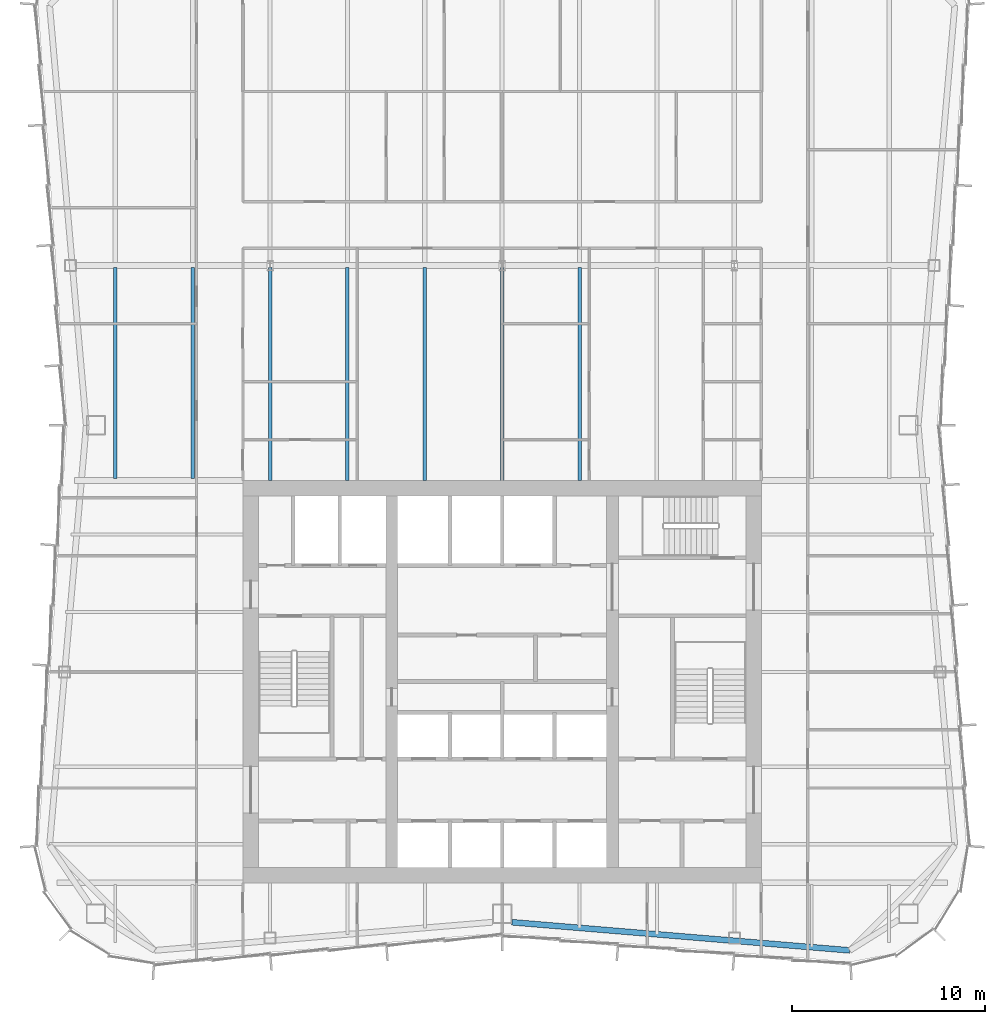
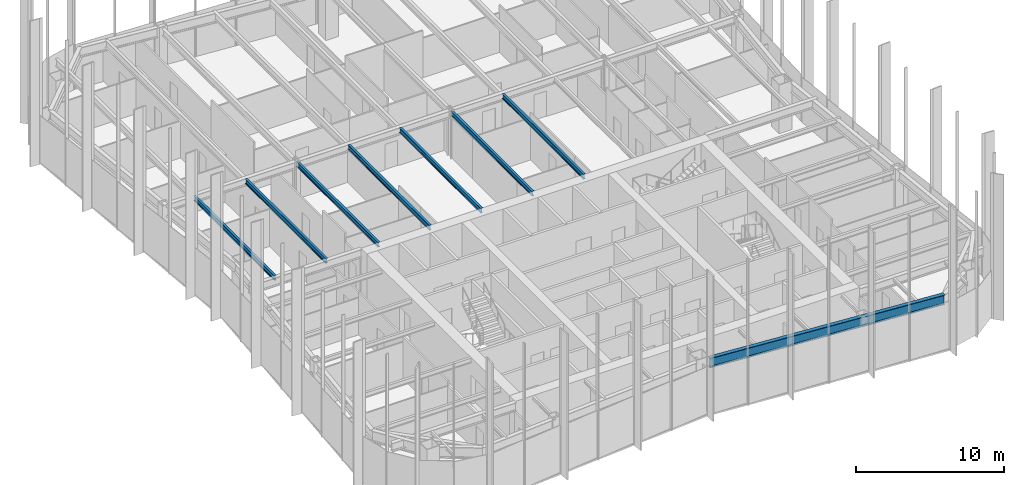
# One storey, part 4 of 15: 8 beams.
"""IFC4 building model written with IfcOpenShell, lengths in metres."""

from ifc_helpers import new_model, si_unit, direction, frame, origin, origin_2d, place, context, subcontext, project, spatial, i_section, extrude, material, material_profile, profile_set, type_object, element, save


model = new_model("IFC4")

# Units and contexts
model_context = context("Model", 3, precision=1e-05, world=origin(), true_north=direction((0.0, 1.0)))
body_context = subcontext(model_context, "Body", "Model", "MODEL_VIEW")
ifc_project = project(units=[si_unit("LENGTHUNIT", "METRE"), si_unit("AREAUNIT", "SQUARE_METRE"), si_unit("VOLUMEUNIT", "CUBIC_METRE"), si_unit("PLANEANGLEUNIT", "RADIAN"), si_unit("MASSUNIT", "GRAM", prefix="KILO")], contexts=[model_context])

# Site, building, storey
site_placement = place(None, origin())
site = spatial("IfcSite", under=ifc_project, at=site_placement, CompositionType="ELEMENT")
building_placement = place(site_placement, origin())
building = spatial("IfcBuilding", under=site, at=building_placement, Name="Verdant Reach Tower", CompositionType="ELEMENT")
storey_placement = place(building_placement, frame((0.0, 0.0, 262.0)))
storey = spatial("IfcBuildingStorey", under=building, at=storey_placement, Name="L60", CompositionType="ELEMENT", Elevation=262.0)

# Beams
ifc_material = material(Name="Steel S355", Category="steel")
ifc_material_profile_1 = material_profile(ifc_material, i_section(OverallWidth=0.179931640625, OverallDepth=0.39990234375, WebThickness=0.008544921875, FlangeThickness=0.013427734375, FilletRadius=0.02099609375, at=origin_2d()), Name="IPE 400")
ifc_profile_set_1 = profile_set([ifc_material_profile_1], Name="Steel S355")
beam_type_1 = type_object("IfcBeamType", Name="ST-JOIST-IPE400", PredefinedType="JOIST", material=ifc_profile_set_1)
for number, where, z_axis, x_axis, name in (
    (1, (-20.0, 38.5, 3.669921875), (0.0, 1.0, 0.0), (-1.0, 0.0, 0.0), "Floor joist, L60"),
    (2, (-16.0, 38.5, 3.669921875), (0.0, 1.0, 0.0), (-1.0, 0.0, 0.0), "Floor joist, L60"),
):
    element("IfcBeam", number, at=place(storey_placement, frame(where, z_axis=z_axis, x_axis=x_axis)), inside=storey, type_object=beam_type_1, Name=name, PredefinedType="JOIST", context=body_context, shape_type="SweptSolid", body=[
        extrude(i_section(OverallWidth=0.179931640625, OverallDepth=0.39990234375, WebThickness=0.008544921875, FlangeThickness=0.013427734375, FilletRadius=0.02099609375, at=origin_2d()), origin(), (0.0, 0.0, 1.0), 10.89990234375),
    ])
for number, where, z_axis, x_axis, name in (
    (3, (-12.0, 38.39990234375, 3.669921875), (0.0, 1.0, 0.0), (-1.0, 0.0, 0.0), "Floor joist, L60"),
    (4, (-8.0, 38.39990234375, 3.669921875), (0.0, 1.0, 0.0), (-1.0, 0.0, 0.0), "Floor joist, L60"),
    (5, (-4.0, 38.39990234375, 3.669921875), (0.0, 1.0, 0.0), (-1.0, 0.0, 0.0), "Floor joist, L60"),
    (6, (0.0, 38.39990234375, 3.669921875), (0.0, 1.0, 0.0), (-1.0, 0.0, 0.0), "Floor joist, L60"),
    (7, (4.0, 38.39990234375, 3.669921875), (0.0, 1.0, 0.0), (-1.0, 0.0, 0.0), "Floor joist, L60"),
):
    element("IfcBeam", number, at=place(storey_placement, frame(where, z_axis=z_axis, x_axis=x_axis)), inside=storey, type_object=beam_type_1, Name=name, PredefinedType="JOIST", context=body_context, shape_type="SweptSolid", body=[
        extrude(i_section(OverallWidth=0.179931640625, OverallDepth=0.39990234375, WebThickness=0.008544921875, FlangeThickness=0.013427734375, FilletRadius=0.02099609375, at=origin_2d()), origin(), (0.0, 0.0, 1.0), 11.0),
    ])
ifc_material_profile_2 = material_profile(ifc_material, i_section(OverallWidth=0.300048828125, OverallDepth=0.800048828125, WebThickness=0.017578125, FlangeThickness=0.032958984375, FilletRadius=0.030029296875, at=origin_2d()), Name="HEB 800")
ifc_profile_set_2 = profile_set([ifc_material_profile_2], Name="Steel S355")
beam_type_2 = type_object("IfcBeamType", Name="ST-SPANDREL-HEB800", PredefinedType="SPANDREL", material=ifc_profile_set_2)
beam_placement = place(storey_placement, frame((17.9658203125, 14.10498046875, 3.469970703125), z_axis=(-0.99654652675, 0.083036257282, 0.0), x_axis=(-0.083036257282, -0.99654652675, 0.0)))
element("IfcBeam", 8, at=beam_placement, inside=storey, type_object=beam_type_2, Name="Edge beam, L60", PredefinedType="SPANDREL", context=body_context, shape_type="SweptSolid", body=[
    extrude(i_section(OverallWidth=0.300048828125, OverallDepth=0.800048828125, WebThickness=0.017578125, FlangeThickness=0.032958984375, FilletRadius=0.030029296875, at=origin_2d()), origin(), (0.0, 0.0, 1.0), 17.5263671875),
])

save(model, "model.ifc")
